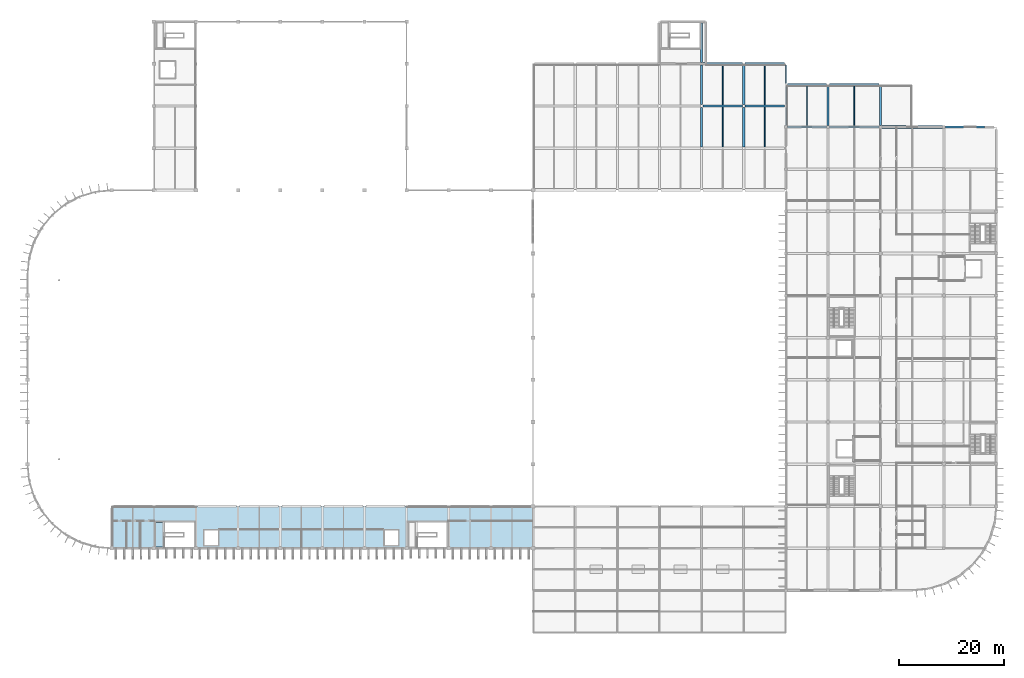
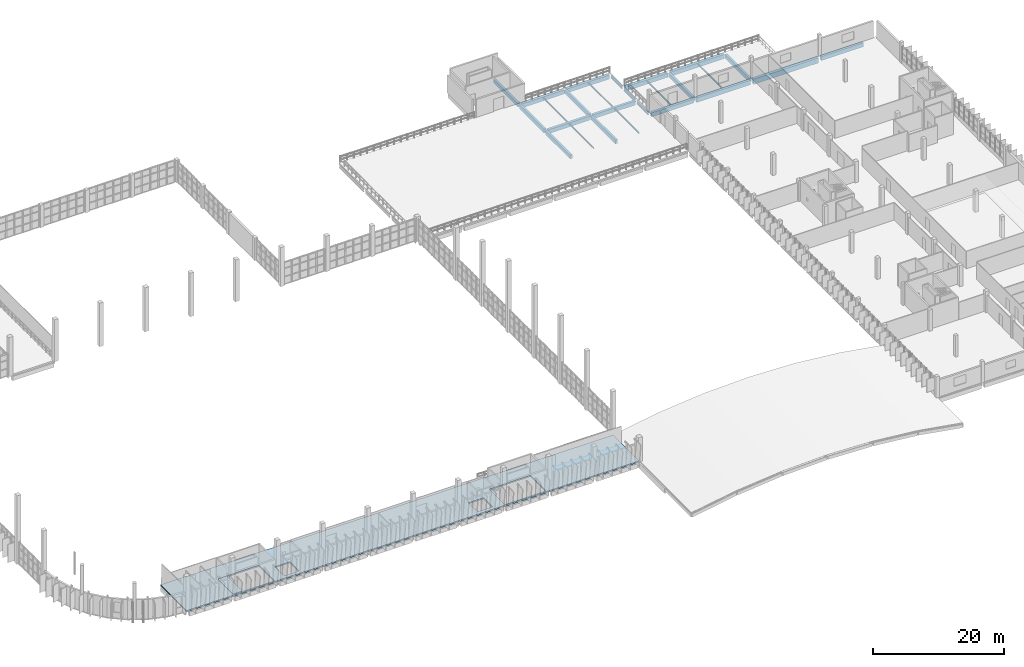
# One storey, part 35 of 66: 26 beams, 2 slabs.
"""IFC4 building model written with IfcOpenShell, lengths in metres."""

from ifc_helpers import new_model, si_unit, direction, frame, origin, origin_2d, place, context, subcontext, project, spatial, polyline, rectangle, i_section, outline, extrude, material, layer, layer_set, material_profile, profile_set, type_object, element, save


model = new_model("IFC4")

# Units and contexts
model_context = context("Model", 3, precision=1e-05, world=origin(), true_north=direction((0.0, 1.0)))
body_context = subcontext(model_context, "Body", "Model", "MODEL_VIEW")
ifc_project = project(units=[si_unit("LENGTHUNIT", "METRE"), si_unit("AREAUNIT", "SQUARE_METRE"), si_unit("VOLUMEUNIT", "CUBIC_METRE"), si_unit("PLANEANGLEUNIT", "RADIAN"), si_unit("MASSUNIT", "GRAM", prefix="KILO")], contexts=[model_context])

# Site, building, storey
site_placement = place(None, origin())
site = spatial("IfcSite", under=ifc_project, at=site_placement, CompositionType="ELEMENT")
building_placement = place(site_placement, origin())
building = spatial("IfcBuilding", under=site, at=building_placement, Name="Drelvana Railside Aquatics Centre", CompositionType="ELEMENT")
storey_placement = place(building_placement, frame((0.0, 0.0, 10.199951171875)))
storey = spatial("IfcBuildingStorey", under=building, at=storey_placement, Name="L02", CompositionType="ELEMENT", Elevation=10.199951171875)

# Beams
ifc_material_1 = material(Name="Concrete C40/50", Category="concrete")
ifc_material_profile_1 = material_profile(ifc_material_1, rectangle(XDim=0.39990234375, YDim=0.699951171875, at=origin_2d()), Name="RC 400x700")
ifc_profile_set_1 = profile_set([ifc_material_profile_1], Name="Concrete C40/50")
beam_type_1 = type_object("IfcBeamType", Name="STR-BM-BM-03-RC-400x700", PredefinedType="BEAM", material=ifc_profile_set_1)
for number, where, z_axis, x_axis, name in (
    (1, (128.0, 92.25, -0.599853515625), (0.0, 1.0, 0.0), (-1.0, 0.0, 0.0), "Girder BM-03 (L02)"),
    (2, (128.0, 100.25, -0.599853515625), (0.0, 1.0, 0.0), (-1.0, 0.0, 0.0), "Girder BM-03 (L02)"),
    (3, (128.0, 108.25, -0.599853515625), (0.0, 1.0, 0.0), (-1.0, 0.0, 0.0), "Girder BM-03 (L02)"),
    (4, (136.0, 92.25, -0.599853515625), (0.0, 1.0, 0.0), (-1.0, 0.0, 0.0), "Girder BM-03 (L02)"),
    (5, (136.0, 100.25, -0.599853515625), (0.0, 1.0, 0.0), (-1.0, 0.0, 0.0), "Girder BM-03 (L02)"),
):
    element("IfcBeam", number, at=place(storey_placement, frame(where, z_axis=z_axis, x_axis=x_axis)), inside=storey, type_object=beam_type_1, Name=name, PredefinedType="BEAM", context=body_context, shape_type="SweptSolid", body=[
        extrude(rectangle(XDim=0.39990234375, YDim=0.699951171875, at=origin_2d()), origin(), (0.0, 0.0, 1.0), 7.5),
    ])
for number, where, z_axis, x_axis, name in (
    (6, (152.0, 96.27490234375, -0.599853515625), (0.0, 1.0, 0.0), (-1.0, 0.0, 0.0), "Girder BM-03 (L02)"),
    (7, (162.0, 96.27490234375, -0.599853515625), (0.0, 1.0, 0.0), (-1.0, 0.0, 0.0), "Girder BM-03 (L02)"),
):
    element("IfcBeam", number, at=place(storey_placement, frame(where, z_axis=z_axis, x_axis=x_axis)), inside=storey, type_object=beam_type_1, Name=name, PredefinedType="BEAM", context=body_context, shape_type="SweptSolid", body=[
        extrude(rectangle(XDim=0.39990234375, YDim=0.699951171875, at=origin_2d()), origin(), (0.0, 0.0, 1.0), 7.4501953125),
    ])
ifc_material_profile_2 = material_profile(ifc_material_1, rectangle(XDim=0.449951171875, YDim=0.75, at=origin_2d()), Name="RC 450x750")
ifc_profile_set_2 = profile_set([ifc_material_profile_2], Name="Concrete C40/50")
beam_type_2 = type_object("IfcBeamType", Name="STR-BM-BM-04-RC-450x750", PredefinedType="BEAM", material=ifc_profile_set_2)
beam_1_placement = place(storey_placement, frame((144.27490234375, 96.0, -0.625), z_axis=(1.0, 0.0, 0.0), x_axis=(0.0, 1.0, 0.0)))
element("IfcBeam", 8, at=beam_1_placement, inside=storey, type_object=beam_type_2, Name="Girder BM-04 (L02)", PredefinedType="BEAM", context=body_context, shape_type="SweptSolid", body=[
    extrude(rectangle(XDim=0.449951171875, YDim=0.75, at=origin_2d()), origin(), (0.0, 0.0, 1.0), 7.4501953125),
])
beam_2_placement = place(storey_placement, frame((174.27490234375, 96.0, -0.625), z_axis=(1.0, 0.0, 0.0), x_axis=(0.0, 1.0, 0.0)))
element("IfcBeam", 9, at=beam_2_placement, inside=storey, type_object=beam_type_2, Name="Girder BM-04 (L02)", PredefinedType="BEAM", context=body_context, shape_type="SweptSolid", body=[
    extrude(rectangle(XDim=0.449951171875, YDim=0.75, at=origin_2d()), origin(), (0.0, 0.0, 1.0), 7.423095703125),
])
for number, where, z_axis, x_axis, name in (
    (10, (128.25, 100.0, -0.625), (1.0, 0.0, 0.0), (0.0, 1.0, 0.0), "Girder BM-04 (L02)"),
    (11, (136.25, 100.0, -0.625), (1.0, 0.0, 0.0), (0.0, 1.0, 0.0), "Girder BM-04 (L02)"),
    (12, (128.25, 108.0, -0.625), (1.0, 0.0, 0.0), (0.0, 1.0, 0.0), "Girder BM-04 (L02)"),
    (13, (136.25, 108.0, -0.625), (1.0, 0.0, 0.0), (0.0, 1.0, 0.0), "Girder BM-04 (L02)"),
):
    element("IfcBeam", number, at=place(storey_placement, frame(where, z_axis=z_axis, x_axis=x_axis)), inside=storey, type_object=beam_type_2, Name=name, PredefinedType="BEAM", context=body_context, shape_type="SweptSolid", body=[
        extrude(rectangle(XDim=0.449951171875, YDim=0.75, at=origin_2d()), origin(), (0.0, 0.0, 1.0), 7.5),
    ])
ifc_material_profile_3 = material_profile(ifc_material_1, rectangle(XDim=0.449951171875, YDim=0.85009765625, at=origin_2d()), Name="RC 450x850")
ifc_profile_set_3 = profile_set([ifc_material_profile_3], Name="Concrete C40/50")
beam_type_3 = type_object("IfcBeamType", Name="STR-BM-BM-05-RC-450x850", PredefinedType="BEAM", material=ifc_profile_set_3)
beam_3_placement = place(storey_placement, frame((152.27490234375, 96.0, -0.675048828125), z_axis=(1.0, 0.0, 0.0), x_axis=(0.0, 1.0, 0.0)))
element("IfcBeam", 14, at=beam_3_placement, inside=storey, type_object=beam_type_3, Name="Girder BM-05 (L02)", PredefinedType="BEAM", context=body_context, shape_type="SweptSolid", body=[
    extrude(rectangle(XDim=0.449951171875, YDim=0.85009765625, at=origin_2d()), origin(), (0.0, 0.0, 1.0), 9.4501953125),
])
ifc_material_profile_4 = material_profile(ifc_material_1, rectangle(XDim=0.5, YDim=0.800048828125, at=origin_2d()), Name="RC 500x800")
ifc_profile_set_4 = profile_set([ifc_material_profile_4], Name="Concrete C40/50")
beam_type_4 = type_object("IfcBeamType", Name="STR-BM-BM-06-RC-500x800", PredefinedType="SPANDREL", material=ifc_profile_set_4)
beam_4_placement = place(storey_placement, frame((144.27490234375, 104.0, -0.64990234375), z_axis=(1.0, 0.0, 0.0), x_axis=(0.0, 1.0, 0.0)))
element("IfcBeam", 15, at=beam_4_placement, inside=storey, type_object=beam_type_4, Name="Girder BM-06 (L02)", PredefinedType="SPANDREL", context=body_context, shape_type="SweptSolid", body=[
    extrude(rectangle(XDim=0.5, YDim=0.800048828125, at=origin_2d()), origin(), (0.0, 0.0, 1.0), 7.4501953125),
])
beam_5_placement = place(storey_placement, frame((152.27490234375, 104.0, -0.64990234375), z_axis=(1.0, 0.0, 0.0), x_axis=(0.0, 1.0, 0.0)))
element("IfcBeam", 16, at=beam_5_placement, inside=storey, type_object=beam_type_4, Name="Girder BM-06 (L02)", PredefinedType="SPANDREL", context=body_context, shape_type="SweptSolid", body=[
    extrude(rectangle(XDim=0.5, YDim=0.800048828125, at=origin_2d()), origin(), (0.0, 0.0, 1.0), 9.4501953125),
])
ifc_material_profile_5 = material_profile(ifc_material_1, rectangle(XDim=0.550048828125, YDim=0.949951171875, at=origin_2d()), Name="RC 550x950")
ifc_profile_set_5 = profile_set([ifc_material_profile_5], Name="Concrete C40/50")
beam_type_5 = type_object("IfcBeamType", Name="STR-BM-BM-08-RC-550x950", PredefinedType="BEAM", material=ifc_profile_set_5)
beam_6_placement = place(storey_placement, frame((162.27490234375, 96.0, -0.724853515625), z_axis=(1.0, 0.0, 0.0), x_axis=(0.0, 1.0, 0.0)))
element("IfcBeam", 17, at=beam_6_placement, inside=storey, type_object=beam_type_5, Name="Girder BM-08 (L02)", PredefinedType="BEAM", context=body_context, shape_type="SweptSolid", body=[
    extrude(rectangle(XDim=0.550048828125, YDim=0.949951171875, at=origin_2d()), origin(), (0.0, 0.0, 1.0), 11.4501953125),
])
ifc_material_2 = material(Name="Structural steel S355", Category="steel")
ifc_material_profile_6 = material_profile(ifc_material_2, i_section(OverallWidth=0.2099609375, OverallDepth=0.550048828125, WebThickness=0.010986328125, FlangeThickness=0.01708984375, at=origin_2d()), Name="IPE 550")
ifc_profile_set_6 = profile_set([ifc_material_profile_6], Name="Structural steel S355")
beam_type_6 = type_object("IfcBeamType", Name="STR-SBM-SB-04-IPE-550", PredefinedType="SPANDREL", material=ifc_profile_set_6)
for number, where, z_axis, x_axis, name in (
    (18, (144.0, 96.27490234375, -0.52490234375), (0.0, 1.0, 0.0), (-1.0, 0.0, 0.0), "Girder SB-04 (L02)"),
    (19, (144.0, 100.25, -0.52490234375), (0.0, 1.0, 0.0), (-1.0, 0.0, 0.0), "Girder SB-04 (L02)"),
    (20, (144.0, 104.27490234375, -0.52490234375), (0.0, 1.0, 0.0), (-1.0, 0.0, 0.0), "Girder SB-04 (L02)"),
):
    element("IfcBeam", number, at=place(storey_placement, frame(where, z_axis=z_axis, x_axis=x_axis)), inside=storey, type_object=beam_type_6, Name=name, PredefinedType="SPANDREL", context=body_context, shape_type="SweptSolid", body=[
        extrude(i_section(OverallWidth=0.2099609375, OverallDepth=0.550048828125, WebThickness=0.010986328125, FlangeThickness=0.01708984375, at=origin_2d()), origin(), (0.0, 0.0, 1.0), 3.47509765625),
    ])
ifc_material_profile_7 = material_profile(ifc_material_2, i_section(OverallWidth=0.135009765625, OverallDepth=0.27001953125, WebThickness=0.006591796875, FlangeThickness=0.01025390625, at=origin_2d()), Name="IPE 270")
ifc_profile_set_7 = profile_set([ifc_material_profile_7], Name="Structural steel S355")
beam_type_7 = type_object("IfcBeamType", Name="STR-SBM-SJ-02-IPE-270", PredefinedType="JOIST", material=ifc_profile_set_7)
for number, where, z_axis, x_axis, name in (
    (21, (132.0, 92.22509765625, -0.385009765625), (0.0, 1.0, 0.0), (-1.0, 0.0, 0.0), "Secondary floor joist SJ-02 (L02)"),
    (22, (132.0, 100.22509765625, -0.385009765625), (0.0, 1.0, 0.0), (-1.0, 0.0, 0.0), "Secondary floor joist SJ-02 (L02)"),
    (23, (140.0, 92.22509765625, -0.385009765625), (0.0, 1.0, 0.0), (-1.0, 0.0, 0.0), "Secondary floor joist SJ-02 (L02)"),
    (24, (140.0, 100.22509765625, -0.385009765625), (0.0, 1.0, 0.0), (-1.0, 0.0, 0.0), "Secondary floor joist SJ-02 (L02)"),
):
    element("IfcBeam", number, at=place(storey_placement, frame(where, z_axis=z_axis, x_axis=x_axis)), inside=storey, type_object=beam_type_7, Name=name, PredefinedType="JOIST", context=body_context, shape_type="SweptSolid", body=[
        extrude(i_section(OverallWidth=0.135009765625, OverallDepth=0.27001953125, WebThickness=0.006591796875, FlangeThickness=0.01025390625, at=origin_2d()), origin(), (0.0, 0.0, 1.0), 7.5498046875),
    ])
for number, where, z_axis, x_axis, name in (
    (25, (148.0, 96.22509765625, -0.385009765625), (0.0, 1.0, 0.0), (-1.0, 0.0, 0.0), "Secondary floor joist SJ-02 (L02)"),
    (26, (157.0, 96.22509765625, -0.385009765625), (0.0, 1.0, 0.0), (-1.0, 0.0, 0.0), "Secondary floor joist SJ-02 (L02)"),
):
    element("IfcBeam", number, at=place(storey_placement, frame(where, z_axis=z_axis, x_axis=x_axis)), inside=storey, type_object=beam_type_7, Name=name, PredefinedType="JOIST", context=body_context, shape_type="SweptSolid", body=[
        extrude(i_section(OverallWidth=0.135009765625, OverallDepth=0.27001953125, WebThickness=0.006591796875, FlangeThickness=0.01025390625, at=origin_2d()), origin(), (0.0, 0.0, 1.0), 7.52490234375),
    ])

# Slabs
ifc_layer_1 = layer(ifc_material_1, 0.25, Name="Concrete C40/50")
ifc_layer_set_1 = layer_set([ifc_layer_1], Name="Concrete C40/50")
slab_type_1 = type_object("IfcSlabType", Name="SL-L02-250", PredefinedType="FLOOR", material=ifc_layer_set_1)
slab_1_placement = place(storey_placement, frame((0.0, 0.0, -0.25)))
element("IfcSlab", 27, at=slab_1_placement, inside=storey, type_object=slab_type_1, Name="Pool Hall upper media and VIP lounge slab", PredefinedType="FLOOR", context=body_context, shape_type="SweptSolid", body=[
    extrude(outline(polyline([(16.0, 16.0), (96.0, 16.0), (96.0, 24.0), (16.0, 24.0), (16.0, 16.0)]), holes=[polyline([(24.35009765625, 16.25), (31.64990234375, 16.25), (31.64990234375, 20.949951171875), (24.35009765625, 20.949951171875), (24.35009765625, 16.25)]), polyline([(33.60009765625, 16.60009765625), (36.199951171875, 16.60009765625), (36.199951171875, 19.39990234375), (33.60009765625, 19.39990234375), (33.60009765625, 16.60009765625)]), polyline([(72.35009765625, 16.25), (79.64990234375, 16.25), (79.64990234375, 20.949951171875), (72.35009765625, 20.949951171875), (72.35009765625, 16.25)]), polyline([(67.800048828125, 16.60009765625), (70.39990234375, 16.60009765625), (70.39990234375, 19.39990234375), (67.800048828125, 19.39990234375), (67.800048828125, 16.60009765625)])]), origin(), (0.0, 0.0, 1.0), 0.25),
])
ifc_layer_2 = layer(ifc_material_1, 0.199951171875, Name="Concrete C40/50")
ifc_layer_set_2 = layer_set([ifc_layer_2], Name="Concrete C40/50")
slab_type_2 = type_object("IfcSlabType", Name="SL-LAND-200", PredefinedType="LANDING", material=ifc_layer_set_2)
slab_2_placement = place(storey_placement, frame((0.0, 0.0, -0.199951171875)))
element("IfcSlab", 28, at=slab_2_placement, inside=storey, type_object=slab_type_2, Name="Stair ST-01 L02 floor landing", PredefinedType="LANDING", context=body_context, shape_type="SweptSolid", body=[
    extrude(outline(polyline([(24.35009765625, 16.25), (26.030029296875, 16.25), (26.030029296875, 20.949951171875), (24.35009765625, 20.949951171875), (24.35009765625, 16.25)])), origin(), (0.0, 0.0, 1.0), 0.199951171875),
])

save(model, "model.ifc")
